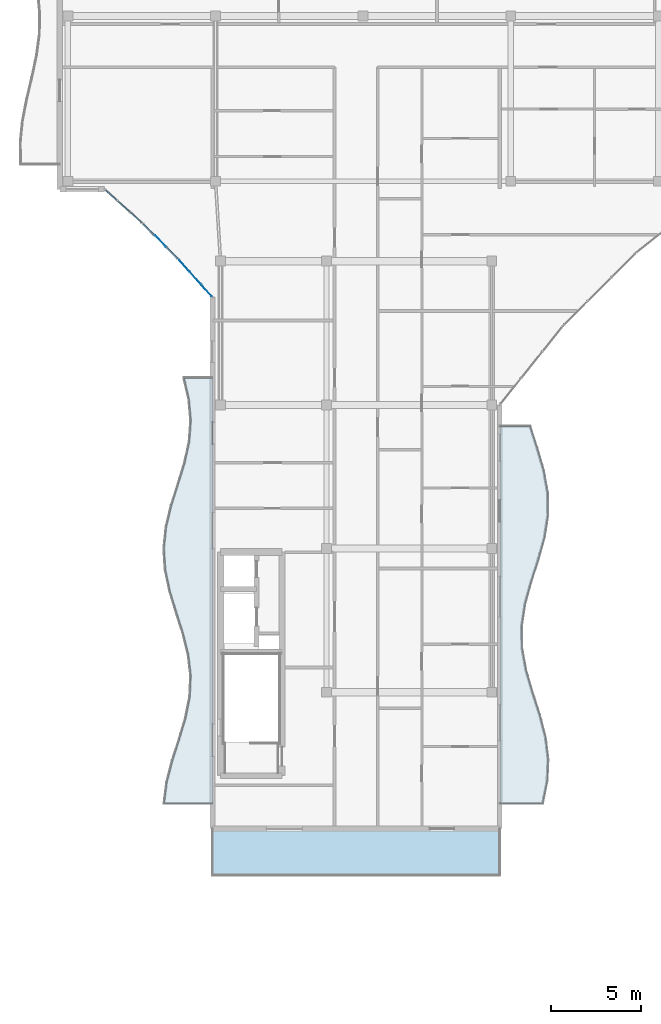
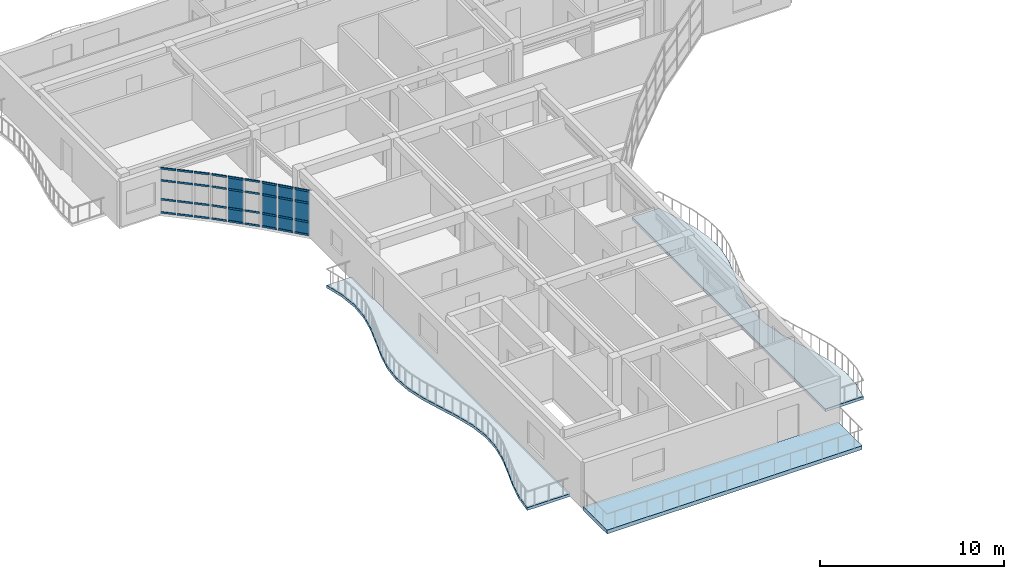
# One storey, part 19 of 49: 36 members, 12 plates, 3 slabs, 3 elements without a shape of their own.
"""IFC4 building model written with IfcOpenShell, lengths in metres."""

from ifc_helpers import new_model, si_unit, direction, frame, origin, origin_2d, place, context, subcontext, project, spatial, polyline, rectangle, hollow_rectangle, outline, extrude, material, layer, layer_set, material_profile, profile_set, type_object, element, aggregate, save


model = new_model("IFC4")

# Units and contexts
model_context = context("Model", 3, precision=1e-05, world=origin(), true_north=direction((0.0, 1.0)))
body_context = subcontext(model_context, "Body", "Model", "MODEL_VIEW")
ifc_project = project(units=[si_unit("LENGTHUNIT", "METRE"), si_unit("AREAUNIT", "SQUARE_METRE"), si_unit("VOLUMEUNIT", "CUBIC_METRE"), si_unit("PLANEANGLEUNIT", "RADIAN"), si_unit("MASSUNIT", "GRAM", prefix="KILO")], contexts=[model_context])

# Site, building, storey
site_placement = place(None, origin())
site = spatial("IfcSite", under=ifc_project, at=site_placement, CompositionType="ELEMENT")
building_placement = place(site_placement, origin())
building = spatial("IfcBuilding", under=site, at=building_placement, Name="Keldmere Railside Commons", CompositionType="ELEMENT")
storey_placement = place(building_placement, frame((0.0, 0.0, 29.760009765625)))
storey = spatial("IfcBuildingStorey", under=building, at=storey_placement, Name="L09", CompositionType="ELEMENT", Elevation=29.760009765625)

# Curtain wall, members
ifc_material_1 = material(Name="Thermally Broken Aluminium", Category="aluminium")
ifc_layer_1 = layer(ifc_material_1, 0.159912109375, Name="Court Chord Wintergarden CW 4800x2850")
ifc_layer_set_1 = layer_set([ifc_layer_1], Name="Thermally Broken Aluminium")
curtain_wall_type_1 = type_object("IfcCurtainWallType", Name="Court Chord Wintergarden CW 4800x2850", PredefinedType="NOTDEFINED", material=ifc_layer_set_1)
curtain_wall_1_placement = place(storey_placement, origin())
curtain_wall_1 = element("IfcCurtainWall", 1, at=curtain_wall_1_placement, inside=storey, type_object=curtain_wall_type_1, Name="CW-12 CW-L09-082", PredefinedType="NOTDEFINED")
ifc_material_profile = material_profile(ifc_material_1, hollow_rectangle(XDim=0.06494140625, YDim=0.1201171875, WallThickness=0.00390625, at=origin_2d()), Name="ALU-TRAN-65x120")
ifc_profile_set = profile_set([ifc_material_profile], Name="Thermally Broken Aluminium")
member_type = type_object("IfcMemberType", Name="Unitised Curtain Wall Transom 65x120", PredefinedType="USERDEFINED", material=ifc_profile_set)
member_1_placement = place(storey_placement, frame((44.0595703125, 98.1533203125, 0.032470703125), z_axis=(-0.744569440646, 0.667545015752, 0.0), x_axis=(-0.667545015752, -0.744569440646, 0.0)))
member_1 = element("IfcMember", 2, at=member_1_placement, type_object=member_type, Name="CW-12 transom 1.1", ObjectType="TRANSOM", PredefinedType="USERDEFINED", context=body_context, shape_type="SweptSolid", body=[
    extrude(hollow_rectangle(XDim=0.06494140625, YDim=0.1201171875, WallThickness=0.00390625, at=origin_2d()), origin(), (0.0, 0.0, 1.0), 0.84619140625),
])
member_2_placement = place(storey_placement, frame((44.0595703125, 98.1533203125, 0.89990234375), z_axis=(-0.744569440646, 0.667545015752, 0.0), x_axis=(-0.667545015752, -0.744569440646, 0.0)))
member_2 = element("IfcMember", 3, at=member_2_placement, type_object=member_type, Name="CW-12 transom 1.2", ObjectType="TRANSOM", PredefinedType="USERDEFINED", context=body_context, shape_type="SweptSolid", body=[
    extrude(hollow_rectangle(XDim=0.06494140625, YDim=0.1201171875, WallThickness=0.00390625, at=origin_2d()), origin(), (0.0, 0.0, 1.0), 0.84619140625),
])
member_3_placement = place(storey_placement, frame((44.0595703125, 98.1533203125, 2.14990234375), z_axis=(-0.744569440646, 0.667545015752, 0.0), x_axis=(-0.667545015752, -0.744569440646, 0.0)))
member_3 = element("IfcMember", 4, at=member_3_placement, type_object=member_type, Name="CW-12 transom 1.3", ObjectType="TRANSOM", PredefinedType="USERDEFINED", context=body_context, shape_type="SweptSolid", body=[
    extrude(hollow_rectangle(XDim=0.06494140625, YDim=0.1201171875, WallThickness=0.00390625, at=origin_2d()), origin(), (0.0, 0.0, 1.0), 0.84619140625),
])
member_4_placement = place(storey_placement, frame((44.0595703125, 98.1533203125, 2.947509765625), z_axis=(-0.744569440646, 0.667545015752, 0.0), x_axis=(-0.667545015752, -0.744569440646, 0.0)))
member_4 = element("IfcMember", 5, at=member_4_placement, type_object=member_type, Name="CW-12 transom 1.4", ObjectType="TRANSOM", PredefinedType="USERDEFINED", context=body_context, shape_type="SweptSolid", body=[
    extrude(hollow_rectangle(XDim=0.06494140625, YDim=0.1201171875, WallThickness=0.00390625, at=origin_2d()), origin(), (0.0, 0.0, 1.0), 0.84619140625),
])
member_5_placement = place(storey_placement, frame((43.381103515625, 98.76171875, 0.032470703125), z_axis=(-0.744536109606, 0.667582190815, 0.0), x_axis=(-0.667582190815, -0.744536109606, 0.0)))
member_5 = element("IfcMember", 6, at=member_5_placement, type_object=member_type, Name="CW-12 transom 2.1", ObjectType="TRANSOM", PredefinedType="USERDEFINED", context=body_context, shape_type="SweptSolid", body=[
    extrude(hollow_rectangle(XDim=0.06494140625, YDim=0.1201171875, WallThickness=0.00390625, at=origin_2d()), origin(), (0.0, 0.0, 1.0), 0.87890625),
])
member_6_placement = place(storey_placement, frame((43.381103515625, 98.76171875, 0.89990234375), z_axis=(-0.744536109606, 0.667582190815, 0.0), x_axis=(-0.667582190815, -0.744536109606, 0.0)))
member_6 = element("IfcMember", 7, at=member_6_placement, type_object=member_type, Name="CW-12 transom 2.2", ObjectType="TRANSOM", PredefinedType="USERDEFINED", context=body_context, shape_type="SweptSolid", body=[
    extrude(hollow_rectangle(XDim=0.06494140625, YDim=0.1201171875, WallThickness=0.00390625, at=origin_2d()), origin(), (0.0, 0.0, 1.0), 0.87890625),
])
member_7_placement = place(storey_placement, frame((43.381103515625, 98.76171875, 2.14990234375), z_axis=(-0.744536109606, 0.667582190815, 0.0), x_axis=(-0.667582190815, -0.744536109606, 0.0)))
member_7 = element("IfcMember", 8, at=member_7_placement, type_object=member_type, Name="CW-12 transom 2.3", ObjectType="TRANSOM", PredefinedType="USERDEFINED", context=body_context, shape_type="SweptSolid", body=[
    extrude(hollow_rectangle(XDim=0.06494140625, YDim=0.1201171875, WallThickness=0.00390625, at=origin_2d()), origin(), (0.0, 0.0, 1.0), 0.87890625),
])
member_8_placement = place(storey_placement, frame((43.381103515625, 98.76171875, 2.947509765625), z_axis=(-0.744536109606, 0.667582190815, 0.0), x_axis=(-0.667582190815, -0.744536109606, 0.0)))
member_8 = element("IfcMember", 9, at=member_8_placement, type_object=member_type, Name="CW-12 transom 2.4", ObjectType="TRANSOM", PredefinedType="USERDEFINED", context=body_context, shape_type="SweptSolid", body=[
    extrude(hollow_rectangle(XDim=0.06494140625, YDim=0.1201171875, WallThickness=0.00390625, at=origin_2d()), origin(), (0.0, 0.0, 1.0), 0.87890625),
])
member_9_placement = place(storey_placement, frame((42.678466796875, 99.3916015625, 0.032470703125), z_axis=(-0.744569440646, 0.667545015752, 0.0), x_axis=(-0.667545015752, -0.744569440646, 0.0)))
member_9 = element("IfcMember", 10, at=member_9_placement, type_object=member_type, Name="CW-12 transom 3.1", ObjectType="TRANSOM", PredefinedType="USERDEFINED", context=body_context, shape_type="SweptSolid", body=[
    extrude(hollow_rectangle(XDim=0.06494140625, YDim=0.1201171875, WallThickness=0.00390625, at=origin_2d()), origin(), (0.0, 0.0, 1.0), 0.84619140625),
])
member_10_placement = place(storey_placement, frame((42.678466796875, 99.3916015625, 0.89990234375), z_axis=(-0.744569440646, 0.667545015752, 0.0), x_axis=(-0.667545015752, -0.744569440646, 0.0)))
member_10 = element("IfcMember", 11, at=member_10_placement, type_object=member_type, Name="CW-12 transom 3.2", ObjectType="TRANSOM", PredefinedType="USERDEFINED", context=body_context, shape_type="SweptSolid", body=[
    extrude(hollow_rectangle(XDim=0.06494140625, YDim=0.1201171875, WallThickness=0.00390625, at=origin_2d()), origin(), (0.0, 0.0, 1.0), 0.84619140625),
])
member_11_placement = place(storey_placement, frame((42.678466796875, 99.3916015625, 2.14990234375), z_axis=(-0.744569440646, 0.667545015752, 0.0), x_axis=(-0.667545015752, -0.744569440646, 0.0)))
member_11 = element("IfcMember", 12, at=member_11_placement, type_object=member_type, Name="CW-12 transom 3.3", ObjectType="TRANSOM", PredefinedType="USERDEFINED", context=body_context, shape_type="SweptSolid", body=[
    extrude(hollow_rectangle(XDim=0.06494140625, YDim=0.1201171875, WallThickness=0.00390625, at=origin_2d()), origin(), (0.0, 0.0, 1.0), 0.84619140625),
])
member_12_placement = place(storey_placement, frame((42.678466796875, 99.3916015625, 2.947509765625), z_axis=(-0.744569440646, 0.667545015752, 0.0), x_axis=(-0.667545015752, -0.744569440646, 0.0)))
member_12 = element("IfcMember", 13, at=member_12_placement, type_object=member_type, Name="CW-12 transom 3.4", ObjectType="TRANSOM", PredefinedType="USERDEFINED", context=body_context, shape_type="SweptSolid", body=[
    extrude(hollow_rectangle(XDim=0.06494140625, YDim=0.1201171875, WallThickness=0.00390625, at=origin_2d()), origin(), (0.0, 0.0, 1.0), 0.84619140625),
])
aggregate(curtain_wall_1, [member_1, member_2, member_3, member_4, member_5, member_6, member_7, member_8, member_9, member_10, member_11, member_12])

ifc_layer_2 = layer(ifc_material_1, 0.159912109375, Name="Court Chord Wintergarden CW 5400x2850")
ifc_layer_set_2 = layer_set([ifc_layer_2], Name="Thermally Broken Aluminium")
curtain_wall_type_2 = type_object("IfcCurtainWallType", Name="Court Chord Wintergarden CW 5400x2850", PredefinedType="NOTDEFINED", material=ifc_layer_set_2)
curtain_wall_2_placement = place(storey_placement, origin())
curtain_wall_2 = element("IfcCurtainWall", 14, at=curtain_wall_2_placement, inside=storey, type_object=curtain_wall_type_2, Name="CW-13 CW-L09-083", PredefinedType="NOTDEFINED")
member_13_placement = place(storey_placement, frame((46.06396484375, 96.154052734375, 0.032470703125), z_axis=(-0.707106781187, 0.707106781187, 0.0), x_axis=(-0.707106781187, -0.707106781187, 0.0)))
member_13 = element("IfcMember", 15, at=member_13_placement, type_object=member_type, Name="CW-13 transom 1.1", ObjectType="TRANSOM", PredefinedType="USERDEFINED", context=body_context, shape_type="SweptSolid", body=[
    extrude(hollow_rectangle(XDim=0.06494140625, YDim=0.1201171875, WallThickness=0.00390625, at=origin_2d()), origin(), (0.0, 0.0, 1.0), 0.84619140625),
])
member_14_placement = place(storey_placement, frame((46.06396484375, 96.154052734375, 0.89990234375), z_axis=(-0.707106781187, 0.707106781187, 0.0), x_axis=(-0.707106781187, -0.707106781187, 0.0)))
member_14 = element("IfcMember", 16, at=member_14_placement, type_object=member_type, Name="CW-13 transom 1.2", ObjectType="TRANSOM", PredefinedType="USERDEFINED", context=body_context, shape_type="SweptSolid", body=[
    extrude(hollow_rectangle(XDim=0.06494140625, YDim=0.1201171875, WallThickness=0.00390625, at=origin_2d()), origin(), (0.0, 0.0, 1.0), 0.84619140625),
])
member_15_placement = place(storey_placement, frame((46.06396484375, 96.154052734375, 2.14990234375), z_axis=(-0.707106781187, 0.707106781187, 0.0), x_axis=(-0.707106781187, -0.707106781187, 0.0)))
member_15 = element("IfcMember", 17, at=member_15_placement, type_object=member_type, Name="CW-13 transom 1.3", ObjectType="TRANSOM", PredefinedType="USERDEFINED", context=body_context, shape_type="SweptSolid", body=[
    extrude(hollow_rectangle(XDim=0.06494140625, YDim=0.1201171875, WallThickness=0.00390625, at=origin_2d()), origin(), (0.0, 0.0, 1.0), 0.84619140625),
])
member_16_placement = place(storey_placement, frame((46.06396484375, 96.154052734375, 2.947509765625), z_axis=(-0.707106781187, 0.707106781187, 0.0), x_axis=(-0.707106781187, -0.707106781187, 0.0)))
member_16 = element("IfcMember", 18, at=member_16_placement, type_object=member_type, Name="CW-13 transom 1.4", ObjectType="TRANSOM", PredefinedType="USERDEFINED", context=body_context, shape_type="SweptSolid", body=[
    extrude(hollow_rectangle(XDim=0.06494140625, YDim=0.1201171875, WallThickness=0.00390625, at=origin_2d()), origin(), (0.0, 0.0, 1.0), 0.84619140625),
])
member_17_placement = place(storey_placement, frame((45.419677734375, 96.79833984375, 0.032470703125), z_axis=(-0.707106781187, 0.707106781187, 0.0), x_axis=(-0.707106781187, -0.707106781187, 0.0)))
member_17 = element("IfcMember", 19, at=member_17_placement, type_object=member_type, Name="CW-13 transom 2.1", ObjectType="TRANSOM", PredefinedType="USERDEFINED", context=body_context, shape_type="SweptSolid", body=[
    extrude(hollow_rectangle(XDim=0.06494140625, YDim=0.1201171875, WallThickness=0.00390625, at=origin_2d()), origin(), (0.0, 0.0, 1.0), 0.878662109375),
])
member_18_placement = place(storey_placement, frame((45.419677734375, 96.79833984375, 0.89990234375), z_axis=(-0.707106781187, 0.707106781187, 0.0), x_axis=(-0.707106781187, -0.707106781187, 0.0)))
member_18 = element("IfcMember", 20, at=member_18_placement, type_object=member_type, Name="CW-13 transom 2.2", ObjectType="TRANSOM", PredefinedType="USERDEFINED", context=body_context, shape_type="SweptSolid", body=[
    extrude(hollow_rectangle(XDim=0.06494140625, YDim=0.1201171875, WallThickness=0.00390625, at=origin_2d()), origin(), (0.0, 0.0, 1.0), 0.878662109375),
])
member_19_placement = place(storey_placement, frame((45.419677734375, 96.79833984375, 2.14990234375), z_axis=(-0.707106781187, 0.707106781187, 0.0), x_axis=(-0.707106781187, -0.707106781187, 0.0)))
member_19 = element("IfcMember", 21, at=member_19_placement, type_object=member_type, Name="CW-13 transom 2.3", ObjectType="TRANSOM", PredefinedType="USERDEFINED", context=body_context, shape_type="SweptSolid", body=[
    extrude(hollow_rectangle(XDim=0.06494140625, YDim=0.1201171875, WallThickness=0.00390625, at=origin_2d()), origin(), (0.0, 0.0, 1.0), 0.878662109375),
])
member_20_placement = place(storey_placement, frame((45.419677734375, 96.79833984375, 2.947509765625), z_axis=(-0.707106781187, 0.707106781187, 0.0), x_axis=(-0.707106781187, -0.707106781187, 0.0)))
member_20 = element("IfcMember", 22, at=member_20_placement, type_object=member_type, Name="CW-13 transom 2.4", ObjectType="TRANSOM", PredefinedType="USERDEFINED", context=body_context, shape_type="SweptSolid", body=[
    extrude(hollow_rectangle(XDim=0.06494140625, YDim=0.1201171875, WallThickness=0.00390625, at=origin_2d()), origin(), (0.0, 0.0, 1.0), 0.878662109375),
])
member_21_placement = place(storey_placement, frame((44.75244140625, 97.465576171875, 0.032470703125), z_axis=(-0.707106781187, 0.707106781187, 0.0), x_axis=(-0.707106781187, -0.707106781187, 0.0)))
member_21 = element("IfcMember", 23, at=member_21_placement, type_object=member_type, Name="CW-13 transom 3.1", ObjectType="TRANSOM", PredefinedType="USERDEFINED", context=body_context, shape_type="SweptSolid", body=[
    extrude(hollow_rectangle(XDim=0.06494140625, YDim=0.1201171875, WallThickness=0.00390625, at=origin_2d()), origin(), (0.0, 0.0, 1.0), 0.84619140625),
])
member_22_placement = place(storey_placement, frame((44.75244140625, 97.465576171875, 0.89990234375), z_axis=(-0.707106781187, 0.707106781187, 0.0), x_axis=(-0.707106781187, -0.707106781187, 0.0)))
member_22 = element("IfcMember", 24, at=member_22_placement, type_object=member_type, Name="CW-13 transom 3.2", ObjectType="TRANSOM", PredefinedType="USERDEFINED", context=body_context, shape_type="SweptSolid", body=[
    extrude(hollow_rectangle(XDim=0.06494140625, YDim=0.1201171875, WallThickness=0.00390625, at=origin_2d()), origin(), (0.0, 0.0, 1.0), 0.84619140625),
])
member_23_placement = place(storey_placement, frame((44.75244140625, 97.465576171875, 2.14990234375), z_axis=(-0.707106781187, 0.707106781187, 0.0), x_axis=(-0.707106781187, -0.707106781187, 0.0)))
member_23 = element("IfcMember", 25, at=member_23_placement, type_object=member_type, Name="CW-13 transom 3.3", ObjectType="TRANSOM", PredefinedType="USERDEFINED", context=body_context, shape_type="SweptSolid", body=[
    extrude(hollow_rectangle(XDim=0.06494140625, YDim=0.1201171875, WallThickness=0.00390625, at=origin_2d()), origin(), (0.0, 0.0, 1.0), 0.84619140625),
])
member_24_placement = place(storey_placement, frame((44.75244140625, 97.465576171875, 2.947509765625), z_axis=(-0.707106781187, 0.707106781187, 0.0), x_axis=(-0.707106781187, -0.707106781187, 0.0)))
member_24 = element("IfcMember", 26, at=member_24_placement, type_object=member_type, Name="CW-13 transom 3.4", ObjectType="TRANSOM", PredefinedType="USERDEFINED", context=body_context, shape_type="SweptSolid", body=[
    extrude(hollow_rectangle(XDim=0.06494140625, YDim=0.1201171875, WallThickness=0.00390625, at=origin_2d()), origin(), (0.0, 0.0, 1.0), 0.84619140625),
])

curtain_wall_3_placement = place(storey_placement, origin())
curtain_wall_3 = element("IfcCurtainWall", 27, at=curtain_wall_3_placement, inside=storey, type_object=curtain_wall_type_1, Name="CW-12 CW-L09-084", PredefinedType="NOTDEFINED")
member_25_placement = place(storey_placement, frame((47.95654296875, 94.04833984375, 0.032470703125), z_axis=(-0.667545015752, 0.744569440646, 0.0), x_axis=(-0.744569440646, -0.667545015752, 0.0)))
member_25 = element("IfcMember", 28, at=member_25_placement, type_object=member_type, Name="CW-12 transom 1.1", ObjectType="TRANSOM", PredefinedType="USERDEFINED", context=body_context, shape_type="SweptSolid", body=[
    extrude(hollow_rectangle(XDim=0.06494140625, YDim=0.1201171875, WallThickness=0.00390625, at=origin_2d()), origin(), (0.0, 0.0, 1.0), 0.84619140625),
])
member_26_placement = place(storey_placement, frame((47.95654296875, 94.04833984375, 0.89990234375), z_axis=(-0.667545015752, 0.744569440646, 0.0), x_axis=(-0.744569440646, -0.667545015752, 0.0)))
member_26 = element("IfcMember", 29, at=member_26_placement, type_object=member_type, Name="CW-12 transom 1.2", ObjectType="TRANSOM", PredefinedType="USERDEFINED", context=body_context, shape_type="SweptSolid", body=[
    extrude(hollow_rectangle(XDim=0.06494140625, YDim=0.1201171875, WallThickness=0.00390625, at=origin_2d()), origin(), (0.0, 0.0, 1.0), 0.84619140625),
])
member_27_placement = place(storey_placement, frame((47.95654296875, 94.04833984375, 2.14990234375), z_axis=(-0.667545015752, 0.744569440646, 0.0), x_axis=(-0.744569440646, -0.667545015752, 0.0)))
member_27 = element("IfcMember", 30, at=member_27_placement, type_object=member_type, Name="CW-12 transom 1.3", ObjectType="TRANSOM", PredefinedType="USERDEFINED", context=body_context, shape_type="SweptSolid", body=[
    extrude(hollow_rectangle(XDim=0.06494140625, YDim=0.1201171875, WallThickness=0.00390625, at=origin_2d()), origin(), (0.0, 0.0, 1.0), 0.84619140625),
])
member_28_placement = place(storey_placement, frame((47.95654296875, 94.04833984375, 2.947509765625), z_axis=(-0.667545015752, 0.744569440646, 0.0), x_axis=(-0.744569440646, -0.667545015752, 0.0)))
member_28 = element("IfcMember", 31, at=member_28_placement, type_object=member_type, Name="CW-12 transom 1.4", ObjectType="TRANSOM", PredefinedType="USERDEFINED", context=body_context, shape_type="SweptSolid", body=[
    extrude(hollow_rectangle(XDim=0.06494140625, YDim=0.1201171875, WallThickness=0.00390625, at=origin_2d()), origin(), (0.0, 0.0, 1.0), 0.84619140625),
])
member_29_placement = place(storey_placement, frame((47.348388671875, 94.726806640625, 0.032470703125), z_axis=(-0.667582190815, 0.744536109606, 0.0), x_axis=(-0.744536109606, -0.667582190815, 0.0)))
member_29 = element("IfcMember", 32, at=member_29_placement, type_object=member_type, Name="CW-12 transom 2.1", ObjectType="TRANSOM", PredefinedType="USERDEFINED", context=body_context, shape_type="SweptSolid", body=[
    extrude(hollow_rectangle(XDim=0.06494140625, YDim=0.1201171875, WallThickness=0.00390625, at=origin_2d()), origin(), (0.0, 0.0, 1.0), 0.87890625),
])
member_30_placement = place(storey_placement, frame((47.348388671875, 94.726806640625, 0.89990234375), z_axis=(-0.667582190815, 0.744536109606, 0.0), x_axis=(-0.744536109606, -0.667582190815, 0.0)))
member_30 = element("IfcMember", 33, at=member_30_placement, type_object=member_type, Name="CW-12 transom 2.2", ObjectType="TRANSOM", PredefinedType="USERDEFINED", context=body_context, shape_type="SweptSolid", body=[
    extrude(hollow_rectangle(XDim=0.06494140625, YDim=0.1201171875, WallThickness=0.00390625, at=origin_2d()), origin(), (0.0, 0.0, 1.0), 0.87890625),
])
member_31_placement = place(storey_placement, frame((47.348388671875, 94.726806640625, 2.14990234375), z_axis=(-0.667582190815, 0.744536109606, 0.0), x_axis=(-0.744536109606, -0.667582190815, 0.0)))
member_31 = element("IfcMember", 34, at=member_31_placement, type_object=member_type, Name="CW-12 transom 2.3", ObjectType="TRANSOM", PredefinedType="USERDEFINED", context=body_context, shape_type="SweptSolid", body=[
    extrude(hollow_rectangle(XDim=0.06494140625, YDim=0.1201171875, WallThickness=0.00390625, at=origin_2d()), origin(), (0.0, 0.0, 1.0), 0.87890625),
])
member_32_placement = place(storey_placement, frame((47.348388671875, 94.726806640625, 2.947509765625), z_axis=(-0.667582190815, 0.744536109606, 0.0), x_axis=(-0.744536109606, -0.667582190815, 0.0)))
member_32 = element("IfcMember", 35, at=member_32_placement, type_object=member_type, Name="CW-12 transom 2.4", ObjectType="TRANSOM", PredefinedType="USERDEFINED", context=body_context, shape_type="SweptSolid", body=[
    extrude(hollow_rectangle(XDim=0.06494140625, YDim=0.1201171875, WallThickness=0.00390625, at=origin_2d()), origin(), (0.0, 0.0, 1.0), 0.87890625),
])
member_33_placement = place(storey_placement, frame((46.71826171875, 95.429443359375, 0.032470703125), z_axis=(-0.667545015752, 0.744569440646, 0.0), x_axis=(-0.744569440646, -0.667545015752, 0.0)))
member_33 = element("IfcMember", 36, at=member_33_placement, type_object=member_type, Name="CW-12 transom 3.1", ObjectType="TRANSOM", PredefinedType="USERDEFINED", context=body_context, shape_type="SweptSolid", body=[
    extrude(hollow_rectangle(XDim=0.06494140625, YDim=0.1201171875, WallThickness=0.00390625, at=origin_2d()), origin(), (0.0, 0.0, 1.0), 0.84619140625),
])
member_34_placement = place(storey_placement, frame((46.71826171875, 95.429443359375, 0.89990234375), z_axis=(-0.667545015752, 0.744569440646, 0.0), x_axis=(-0.744569440646, -0.667545015752, 0.0)))
member_34 = element("IfcMember", 37, at=member_34_placement, type_object=member_type, Name="CW-12 transom 3.2", ObjectType="TRANSOM", PredefinedType="USERDEFINED", context=body_context, shape_type="SweptSolid", body=[
    extrude(hollow_rectangle(XDim=0.06494140625, YDim=0.1201171875, WallThickness=0.00390625, at=origin_2d()), origin(), (0.0, 0.0, 1.0), 0.84619140625),
])
member_35_placement = place(storey_placement, frame((46.71826171875, 95.429443359375, 2.14990234375), z_axis=(-0.667545015752, 0.744569440646, 0.0), x_axis=(-0.744569440646, -0.667545015752, 0.0)))
member_35 = element("IfcMember", 38, at=member_35_placement, type_object=member_type, Name="CW-12 transom 3.3", ObjectType="TRANSOM", PredefinedType="USERDEFINED", context=body_context, shape_type="SweptSolid", body=[
    extrude(hollow_rectangle(XDim=0.06494140625, YDim=0.1201171875, WallThickness=0.00390625, at=origin_2d()), origin(), (0.0, 0.0, 1.0), 0.84619140625),
])
member_36_placement = place(storey_placement, frame((46.71826171875, 95.429443359375, 2.947509765625), z_axis=(-0.667545015752, 0.744569440646, 0.0), x_axis=(-0.744569440646, -0.667545015752, 0.0)))
member_36 = element("IfcMember", 39, at=member_36_placement, type_object=member_type, Name="CW-12 transom 3.4", ObjectType="TRANSOM", PredefinedType="USERDEFINED", context=body_context, shape_type="SweptSolid", body=[
    extrude(hollow_rectangle(XDim=0.06494140625, YDim=0.1201171875, WallThickness=0.00390625, at=origin_2d()), origin(), (0.0, 0.0, 1.0), 0.84619140625),
])

# Plate
ifc_material_2 = material(Name="Low-E Insulated Double Glazing", Category="glass")
ifc_layer_3 = layer(ifc_material_2, 0.031982421875, Name="Clerestory Solar-Control Vision Panel 32")
ifc_layer_set_3 = layer_set([ifc_layer_3], Name="Low-E Insulated Double Glazing")
plate_type_1 = type_object("IfcPlateType", Name="Clerestory Solar-Control Vision Panel 32", PredefinedType="CURTAIN_PANEL", material=ifc_layer_set_3)
plate_1_placement = place(storey_placement, frame((45.10888671875, 97.10888671875, 0.06494140625), z_axis=(0.0, 0.0, 1.0), x_axis=(-0.707106781187, 0.707106781187, 0.0)))
plate_1 = element("IfcPlate", 40, at=plate_1_placement, type_object=plate_type_1, Name="CW-13 panel 2.1", PredefinedType="CURTAIN_PANEL", context=body_context, shape_type="SweptSolid", body=[
    extrude(rectangle(XDim=0.878662109375, YDim=0.031982421875, at=origin_2d()), origin(), (0.0, 0.0, 1.0), 0.802490234375),
])

plate_2_placement = place(storey_placement, frame((45.10888671875, 97.10888671875, 0.932373046875), z_axis=(0.0, 0.0, 1.0), x_axis=(-0.707106781187, 0.707106781187, 0.0)))
plate_2 = element("IfcPlate", 41, at=plate_2_placement, type_object=plate_type_1, Name="CW-13 panel 2.2", PredefinedType="CURTAIN_PANEL", context=body_context, shape_type="SweptSolid", body=[
    extrude(rectangle(XDim=0.878662109375, YDim=0.031982421875, at=origin_2d()), origin(), (0.0, 0.0, 1.0), 1.18505859375),
])

plate_3_placement = place(storey_placement, frame((45.10888671875, 97.10888671875, 2.1826171875), z_axis=(0.0, 0.0, 1.0), x_axis=(-0.707106781187, 0.707106781187, 0.0)))
plate_3 = element("IfcPlate", 42, at=plate_3_placement, type_object=plate_type_1, Name="CW-13 panel 2.3", PredefinedType="CURTAIN_PANEL", context=body_context, shape_type="SweptSolid", body=[
    extrude(rectangle(XDim=0.878662109375, YDim=0.031982421875, at=origin_2d()), origin(), (0.0, 0.0, 1.0), 0.732421875),
])

aggregate(curtain_wall_2, [member_13, member_14, member_15, member_16, member_17, member_18, member_19, member_20, plate_1, plate_2, plate_3, member_21, member_22, member_23, member_24])

ifc_layer_4 = layer(ifc_material_2, 0.028076171875, Name="Low-E Vision Glazing Panel 28")
ifc_layer_set_4 = layer_set([ifc_layer_4], Name="Low-E Insulated Double Glazing")
plate_type_2 = type_object("IfcPlateType", Name="Low-E Vision Glazing Panel 28", PredefinedType="CURTAIN_PANEL", material=ifc_layer_set_4)
plate_4_placement = place(storey_placement, frame((47.674072265625, 94.363525390625, 0.06494140625), z_axis=(0.0, 0.0, 1.0), x_axis=(-0.667558519879, 0.744557333277, 0.0)))
plate_4 = element("IfcPlate", 43, at=plate_4_placement, type_object=plate_type_2, Name="CW-12 panel 1.1", PredefinedType="CURTAIN_PANEL", context=body_context, shape_type="SweptSolid", body=[
    extrude(rectangle(XDim=0.84619140625, YDim=0.028076171875, at=origin_2d()), origin(), (0.0, 0.0, 1.0), 0.802490234375),
])

plate_5_placement = place(storey_placement, frame((47.674072265625, 94.363525390625, 0.932373046875), z_axis=(0.0, 0.0, 1.0), x_axis=(-0.667558519879, 0.744557333277, 0.0)))
plate_5 = element("IfcPlate", 44, at=plate_5_placement, type_object=plate_type_2, Name="CW-12 panel 1.2", PredefinedType="CURTAIN_PANEL", context=body_context, shape_type="SweptSolid", body=[
    extrude(rectangle(XDim=0.84619140625, YDim=0.028076171875, at=origin_2d()), origin(), (0.0, 0.0, 1.0), 1.18505859375),
])

plate_6_placement = place(storey_placement, frame((47.674072265625, 94.363525390625, 2.1826171875), z_axis=(0.0, 0.0, 1.0), x_axis=(-0.667558519879, 0.744557333277, 0.0)))
plate_6 = element("IfcPlate", 45, at=plate_6_placement, type_object=plate_type_2, Name="CW-12 panel 1.3", PredefinedType="CURTAIN_PANEL", context=body_context, shape_type="SweptSolid", body=[
    extrude(rectangle(XDim=0.84619140625, YDim=0.028076171875, at=origin_2d()), origin(), (0.0, 0.0, 1.0), 0.732421875),
])

plate_7_placement = place(storey_placement, frame((47.054931640625, 95.053955078125, 0.06494140625), z_axis=(0.0, 0.0, 1.0), x_axis=(-0.667558519879, 0.744557333277, 0.0)))
plate_7 = element("IfcPlate", 46, at=plate_7_placement, type_object=plate_type_2, Name="CW-12 panel 2.1", PredefinedType="CURTAIN_PANEL", context=body_context, shape_type="SweptSolid", body=[
    extrude(rectangle(XDim=0.878662109375, YDim=0.028076171875, at=origin_2d()), origin(), (0.0, 0.0, 1.0), 0.802490234375),
])

plate_8_placement = place(storey_placement, frame((47.054931640625, 95.053955078125, 0.932373046875), z_axis=(0.0, 0.0, 1.0), x_axis=(-0.667558519879, 0.744557333277, 0.0)))
plate_8 = element("IfcPlate", 47, at=plate_8_placement, type_object=plate_type_2, Name="CW-12 panel 2.2", PredefinedType="CURTAIN_PANEL", context=body_context, shape_type="SweptSolid", body=[
    extrude(rectangle(XDim=0.878662109375, YDim=0.028076171875, at=origin_2d()), origin(), (0.0, 0.0, 1.0), 1.18505859375),
])

plate_9_placement = place(storey_placement, frame((47.054931640625, 95.053955078125, 2.1826171875), z_axis=(0.0, 0.0, 1.0), x_axis=(-0.667558519879, 0.744557333277, 0.0)))
plate_9 = element("IfcPlate", 48, at=plate_9_placement, type_object=plate_type_2, Name="CW-12 panel 2.3", PredefinedType="CURTAIN_PANEL", context=body_context, shape_type="SweptSolid", body=[
    extrude(rectangle(XDim=0.878662109375, YDim=0.028076171875, at=origin_2d()), origin(), (0.0, 0.0, 1.0), 0.732421875),
])

plate_10_placement = place(storey_placement, frame((46.435791015625, 95.74462890625, 0.06494140625), z_axis=(0.0, 0.0, 1.0), x_axis=(-0.667558519879, 0.744557333277, 0.0)))
plate_10 = element("IfcPlate", 49, at=plate_10_placement, type_object=plate_type_2, Name="CW-12 panel 3.1", PredefinedType="CURTAIN_PANEL", context=body_context, shape_type="SweptSolid", body=[
    extrude(rectangle(XDim=0.84619140625, YDim=0.028076171875, at=origin_2d()), origin(), (0.0, 0.0, 1.0), 0.802490234375),
])

plate_11_placement = place(storey_placement, frame((46.435791015625, 95.74462890625, 0.932373046875), z_axis=(0.0, 0.0, 1.0), x_axis=(-0.667558519879, 0.744557333277, 0.0)))
plate_11 = element("IfcPlate", 50, at=plate_11_placement, type_object=plate_type_2, Name="CW-12 panel 3.2", PredefinedType="CURTAIN_PANEL", context=body_context, shape_type="SweptSolid", body=[
    extrude(rectangle(XDim=0.84619140625, YDim=0.028076171875, at=origin_2d()), origin(), (0.0, 0.0, 1.0), 1.18505859375),
])

plate_12_placement = place(storey_placement, frame((46.435791015625, 95.74462890625, 2.1826171875), z_axis=(0.0, 0.0, 1.0), x_axis=(-0.667558519879, 0.744557333277, 0.0)))
plate_12 = element("IfcPlate", 51, at=plate_12_placement, type_object=plate_type_2, Name="CW-12 panel 3.3", PredefinedType="CURTAIN_PANEL", context=body_context, shape_type="SweptSolid", body=[
    extrude(rectangle(XDim=0.84619140625, YDim=0.028076171875, at=origin_2d()), origin(), (0.0, 0.0, 1.0), 0.732421875),
])

aggregate(curtain_wall_3, [member_25, member_26, member_27, member_28, plate_4, plate_5, plate_6, member_29, member_30, member_31, member_32, plate_7, plate_8, plate_9, member_33, member_34, member_35, member_36, plate_10, plate_11, plate_12])

# Slabs
ifc_material_3 = material(Name="Concrete H-35 (C35/45)", Category="concrete")
ifc_layer_5 = layer(ifc_material_3, 0.25, Name="Planted Terrace Roof Slab 250")
ifc_layer_set_5 = layer_set([ifc_layer_5], Name="Concrete H-35 (C35/45)")
slab_type_1 = type_object("IfcSlabType", Name="Planted Terrace Roof Slab 250", PredefinedType="ROOF", material=ifc_layer_set_5)
slab_1_placement = place(storey_placement, frame((0.0, 0.0, -0.25)))
element("IfcSlab", 52, at=slab_1_placement, inside=storey, type_object=slab_type_1, Name="RT-1 TERRC-L09-033", PredefinedType="ROOF", context=body_context, shape_type="SweptSolid", body=[
    extrude(outline(polyline([(64.0, 61.800048828125), (64.0, 64.389892578125), (48.0, 64.389892578125), (48.0, 61.800048828125), (64.0, 61.800048828125)])), origin(), (0.0, 0.0, 1.0), 0.25),
])
ifc_material_4 = material(Name="White Precast Concrete H-35 (C35/45)", Category="concrete")
ifc_layer_6 = layer(ifc_material_4, 0.179931640625, Name="Sinusoidal Wave Balcony Slab 180")
ifc_layer_set_6 = layer_set([ifc_layer_6], Name="White Precast Concrete H-35 (C35/45)")
slab_type_2 = type_object("IfcSlabType", Name="Sinusoidal Wave Balcony Slab 180", PredefinedType="FLOOR", material=ifc_layer_set_6)
slab_2_placement = place(storey_placement, frame((0.0, 0.0, -0.179931640625)))
element("IfcSlab", 53, at=slab_2_placement, inside=storey, type_object=slab_type_2, Name="WB-1 C L09 CE Wave Balcony", PredefinedType="FLOOR", context=body_context, shape_type="SweptSolid", body=[
    extrude(outline(polyline([(66.3837890625, 65.800048828125), (66.63623046875, 67.035400390625), (66.694091796875, 68.2705078125), (66.541015625, 69.505859375), (66.220458984375, 70.7412109375), (65.822998046875, 71.9765625), (65.461669921875, 73.2119140625), (65.23876953125, 74.447021484375), (65.217529296875, 75.682373046875), (65.404052734375, 76.91748046875), (65.745361328125, 78.15283203125), (66.144775390625, 79.38818359375), (66.489013671875, 80.62353515625), (66.68017578125, 81.85888671875), (66.66455078125, 83.093994140625), (66.4462890625, 84.329345703125), (66.087158203125, 85.564697265625), (65.689208984375, 86.800048828125), (64.0, 86.800048828125), (64.0, 85.564697265625), (64.0, 84.329345703125), (64.0, 83.093994140625), (64.0, 81.85888671875), (64.0, 80.62353515625), (64.0, 79.38818359375), (64.0, 78.15283203125), (64.0, 76.91748046875), (64.0, 75.682373046875), (64.0, 74.447021484375), (64.0, 73.2119140625), (64.0, 71.9765625), (64.0, 70.7412109375), (64.0, 69.505859375), (64.0, 68.2705078125), (64.0, 67.035400390625), (64.0, 65.800048828125), (66.3837890625, 65.800048828125)])), origin(), (0.0, 0.0, 1.0), 0.179931640625),
])
slab_3_placement = place(storey_placement, frame((0.0, 0.0, -0.179931640625)))
element("IfcSlab", 54, at=slab_3_placement, inside=storey, type_object=slab_type_2, Name="WB-1 C L09 CW Wave Balcony", PredefinedType="FLOOR", context=body_context, shape_type="SweptSolid", body=[
    extrude(outline(polyline([(48.0, 65.800048828125), (48.0, 66.985107421875), (48.0, 68.169921875), (48.0, 69.35498046875), (48.0, 70.5400390625), (48.0, 71.72509765625), (48.0, 72.909912109375), (48.0, 74.094970703125), (48.0, 75.280029296875), (48.0, 76.465087890625), (48.0, 77.64990234375), (48.0, 78.8349609375), (48.0, 80.02001953125), (48.0, 81.205078125), (48.0, 82.389892578125), (48.0, 83.574951171875), (48.0, 84.760009765625), (48.0, 85.945068359375), (48.0, 87.1298828125), (48.0, 88.31494140625), (48.0, 89.5), (46.4150390625, 89.5), (46.691162109375, 88.31494140625), (46.7998046875, 87.1298828125), (46.712158203125, 85.945068359375), (46.451416015625, 84.760009765625), (46.0859375, 83.574951171875), (45.7109375, 82.389892578125), (45.424560546875, 81.205078125), (45.3017578125, 80.02001953125), (45.37451171875, 78.8349609375), (45.623779296875, 77.64990234375), (45.984619140625, 76.465087890625), (46.362548828125, 75.280029296875), (46.65869140625, 74.094970703125), (46.795654296875, 72.909912109375), (46.73779296875, 71.72509765625), (46.5, 70.5400390625), (46.14453125, 69.35498046875), (45.764404296875, 68.169921875), (45.458984375, 66.985107421875), (45.30810546875, 65.800048828125), (48.0, 65.800048828125)])), origin(), (0.0, 0.0, 1.0), 0.179931640625),
])

save(model, "model.ifc")
